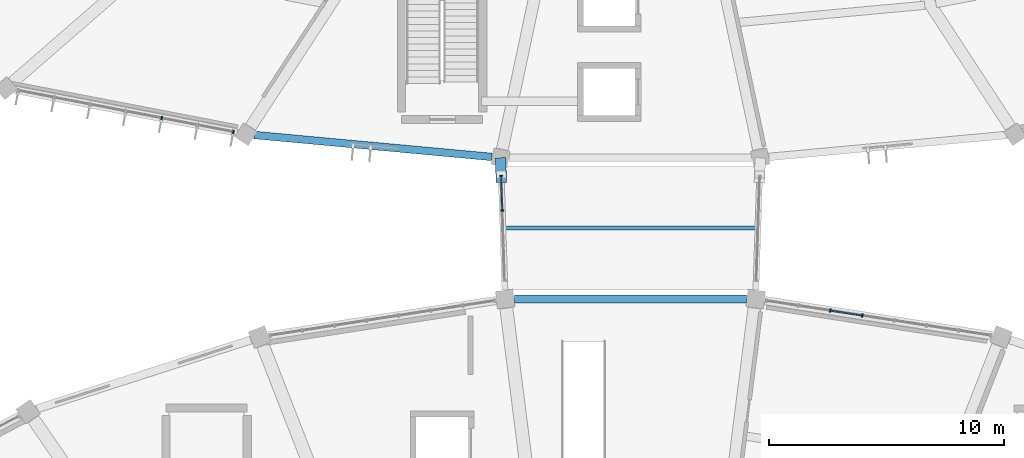
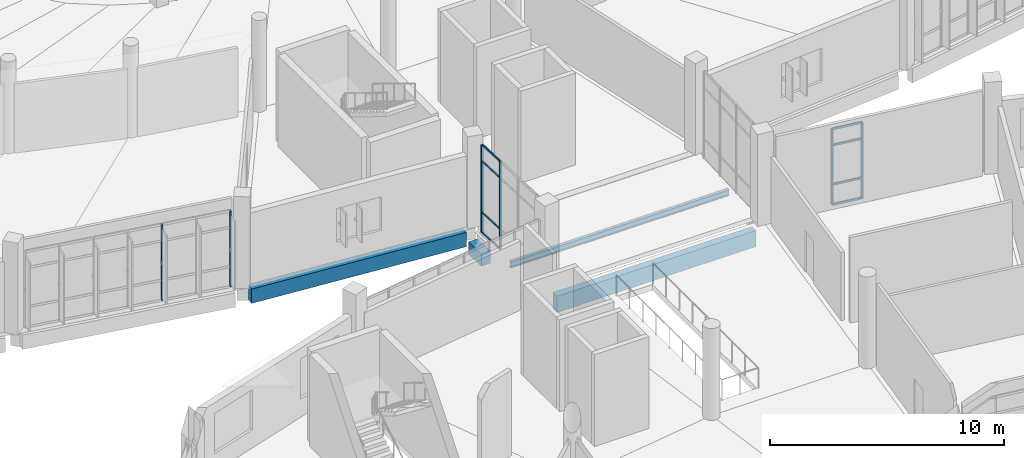
# One storey, part 30 of 179: 14 members, 4 beams, 3 elements without a shape of their own.
"""IFC4 building model written with IfcOpenShell, lengths in metres."""

import ifcopenshell
import ifcopenshell.guid

model = None  # the IFC model being written
_history = None  # IfcOwnerHistory: only IFC2X3 demands one
_inside = {}  # id of a spatial element -> (the spatial element, [elements in it])
_under = {}  # id of a project, library or spatial element -> (it, [spatial elements below it])
_declared = {}  # id of a project -> (the project, [libraries it declares])
_typed = {}  # id of a type object -> (the type object, [elements of that type])
_made_of = {}  # id of a material, layer set ... -> (it, [elements and type objects made of it])


def new_model(schema):
    """Start an empty IFC model of exactly this schema.

    Asked for "IFC4X3", IfcOpenShell would pick the latest addendum, in which some entities
    have other attributes; the version numbers below select the first issue.
    IFC2X3 requires an IfcOwnerHistory on every rooted entity: one is made here for all.
    """
    global model, _history
    if schema == "IFC4X3":
        model = ifcopenshell.file(schema_version=(4, 3, 0, 0))
    else:
        model = ifcopenshell.file(schema=schema)
    _inside.clear()
    _under.clear()
    _declared.clear()
    _typed.clear()
    _made_of.clear()
    _history = None
    if model.schema == "IFC2X3":
        org = make("IfcOrganization", Name="unknown")
        user = make(
            "IfcPersonAndOrganization",
            ThePerson=make("IfcPerson", FamilyName="unknown"),
            TheOrganization=org,
        )
        app = make(
            "IfcApplication",
            ApplicationDeveloper=org,
            Version="unknown",
            ApplicationFullName="unknown",
            ApplicationIdentifier="unknown",
        )
        _history = make(
            "IfcOwnerHistory",
            OwningUser=user,
            OwningApplication=app,
            ChangeAction="ADDED",
            CreationDate=0,
        )
    return model


def make(cls, **values):
    """One entity of the class cls with the attributes given. An attribute that is None is left unset."""
    return model.create_entity(
        cls, **{name: value for name, value in values.items() if value is not None}
    )


def rooted(cls, **values):
    """An entity with a GlobalId (a new one), such as an element, a storey or a relation."""
    return make(cls, GlobalId=ifcopenshell.guid.new(), OwnerHistory=_history, **values)


def si_unit(unit_type, name, prefix=None):
    """IfcSIUnit, for example si_unit("LENGTHUNIT", "METRE", prefix="MILLI")."""
    return make("IfcSIUnit", UnitType=unit_type, Prefix=prefix, Name=name)


def assignment(units):
    """IfcUnitAssignment: the units of a project."""
    return None if units is None else make("IfcUnitAssignment", Units=units)


def point(xyz):
    """IfcCartesianPoint."""
    return None if xyz is None else make("IfcCartesianPoint", Coordinates=xyz)


def direction(xyz):
    """IfcDirection."""
    return None if xyz is None else make("IfcDirection", DirectionRatios=xyz)


def frame(location, z_axis=None, x_axis=None):
    """IfcAxis2Placement3D, a coordinate frame: its origin and axes. An axis left out is left unset."""
    return make(
        "IfcAxis2Placement3D",
        Location=point(location),
        Axis=direction(z_axis),
        RefDirection=direction(x_axis),
    )


def frame_2d(location, x_axis=None):
    """IfcAxis2Placement2D, a coordinate frame in the plane: its origin and x axis."""
    return make(
        "IfcAxis2Placement2D", Location=point(location), RefDirection=direction(x_axis)
    )


def origin():
    """The frame at (0, 0, 0) with its axes left unset."""
    return frame((0.0, 0.0, 0.0))


def origin_2d():
    """The frame at (0, 0) in the plane with its x axis left unset."""
    return frame_2d((0.0, 0.0))


def place(relative_to, where):
    """IfcLocalPlacement: puts the frame where relative to a parent placement (None: the world)."""
    return make(
        "IfcLocalPlacement", PlacementRelTo=relative_to, RelativePlacement=where
    )


def context(
    kind, dimensions, precision=None, world=None, true_north=None, identifier=None
):
    """IfcGeometricRepresentationContext, for example the 3D "Model" context."""
    return make(
        "IfcGeometricRepresentationContext",
        ContextIdentifier=identifier,
        ContextType=kind,
        CoordinateSpaceDimension=dimensions,
        Precision=precision,
        WorldCoordinateSystem=world,
        TrueNorth=true_north,
    )


def subcontext(parent, identifier, kind, view, scale=None):
    """IfcGeometricRepresentationSubContext, for example "Body" below "Model"."""
    return make(
        "IfcGeometricRepresentationSubContext",
        ContextIdentifier=identifier,
        ContextType=kind,
        ParentContext=parent,
        TargetScale=scale,
        TargetView=view,
    )


def project(units=None, contexts=None):
    """IfcProject with its units and contexts."""
    return rooted(
        "IfcProject",
        Name="project",
        RepresentationContexts=contexts,
        UnitsInContext=assignment(units),
    )


def spatial(cls, under=None, at=None, **own):
    """A site, building, storey or space (cls), placed at a placement, below another one or the project."""
    s = rooted(cls, ObjectPlacement=at, **own)
    if under is not None:
        _under.setdefault(under.id(), (under, []))[1].append(s)
    return s


def profile(cls, at=None, kind="AREA", **sizes):
    """A parametric profile (cls). Its sizes go by their IFC names, for example OverallWidth=200.0."""
    return make(cls, ProfileType=kind, Position=at, **sizes)


def rectangle(**sizes):
    """IfcRectangleProfileDef."""
    return profile("IfcRectangleProfileDef", **sizes)


def i_section(**sizes):
    """IfcIShapeProfileDef."""
    return profile("IfcIShapeProfileDef", **sizes)


def extrude(swept, where, along, depth):
    """IfcExtrudedAreaSolid: the profile swept, set in the frame where, extruded along a direction by depth."""
    return make(
        "IfcExtrudedAreaSolid",
        SweptArea=swept,
        Position=where,
        ExtrudedDirection=direction(along),
        Depth=depth,
    )


def shape(context_of_items, identifier, shape_type, items):
    """IfcShapeRepresentation: the items that make up one representation, for example the "Body"."""
    return make(
        "IfcShapeRepresentation",
        ContextOfItems=context_of_items,
        RepresentationIdentifier=identifier,
        RepresentationType=shape_type,
        Items=items,
    )


def material(Name=None, Category=None):
    """IfcMaterial."""
    return make("IfcMaterial", Name=Name, Category=Category)


def layer(
    of_material, thickness, ventilated=None, Name=None, Category=None, Priority=None
):
    """IfcMaterialLayer: one layer of a wall or slab, of a material (None: an air gap)."""
    return make(
        "IfcMaterialLayer",
        Material=of_material,
        LayerThickness=thickness,
        IsVentilated=ventilated,
        Name=Name,
        Category=Category,
        Priority=Priority,
    )


def layer_set(layers, Name=None):
    """IfcMaterialLayerSet."""
    return make("IfcMaterialLayerSet", MaterialLayers=layers, LayerSetName=Name)


def material_profile(
    of_material, cross_section, Name=None, Category=None, Priority=None
):
    """IfcMaterialProfile: a cross section and its material."""
    return make(
        "IfcMaterialProfile",
        Name=Name,
        Material=of_material,
        Profile=cross_section,
        Priority=Priority,
        Category=Category,
    )


def profile_set(profiles, Name=None, composite=None):
    """IfcMaterialProfileSet."""
    return make(
        "IfcMaterialProfileSet",
        Name=Name,
        MaterialProfiles=profiles,
        CompositeProfile=composite,
    )


def made_of(thing, what):
    """Note that an element or type object is made of a material, layer set ...; save() writes the relation."""
    if what is not None:
        _made_of.setdefault(what.id(), (what, []))[1].append(thing)
    return thing


def type_object(cls, material=None, **own):
    """A type object (cls), such as IfcWallType, which elements share."""
    return made_of(rooted(cls, **own), material)


def element(
    cls,
    number,
    at=None,
    inside=None,
    cuts=None,
    type_object=None,
    material=None,
    context=None,
    identifier="Body",
    shape_type=None,
    held_by="IfcProductDefinitionShape",
    body=None,
    shapes=None,
    **own,
):
    """One element of the class cls, such as IfcWall. Its Tag is "e" and its number.

    at: its placement. inside: the storey or other place that contains it. cuts: it is an
    opening in that element (IfcRelVoidsElement). A single representation is given by context,
    identifier, shape_type and body (its items); several are given by shapes. held_by: the class
    of the entity that holds the representations. save() writes the other relations.
    """
    e = rooted(cls, Tag="e%d" % number, ObjectPlacement=at, **own)
    if body is not None:
        shapes = [shape(context, identifier, shape_type, body)]
    if shapes is not None:
        e.Representation = make(held_by, Representations=shapes)
    if inside is not None:
        _inside.setdefault(inside.id(), (inside, []))[1].append(e)
    if cuts is not None:
        rooted(
            "IfcRelVoidsElement", RelatingBuildingElement=cuts, RelatedOpeningElement=e
        )
    if type_object is not None:
        _typed.setdefault(type_object.id(), (type_object, []))[1].append(e)
    return made_of(e, material)


def aggregate(whole, parts):
    """IfcRelAggregates: a whole, such as a stair, and the parts it consists of."""
    return rooted("IfcRelAggregates", RelatingObject=whole, RelatedObjects=parts)


def save(model, path):
    """Write the relations noted so far, then the file.

    IfcRelAggregates (storeys below a building ...), IfcRelContainedInSpatialStructure (elements
    in a storey), IfcRelDefinesByType, IfcRelAssociatesMaterial and IfcRelDeclares: one each for
    every whole, place, type object, material and project.
    """
    for whole, parts in _under.values():
        aggregate(whole, parts)
    for where, things in _inside.values():
        rooted(
            "IfcRelContainedInSpatialStructure",
            RelatedElements=things,
            RelatingStructure=where,
        )
    for kind, things in _typed.values():
        rooted("IfcRelDefinesByType", RelatedObjects=things, RelatingType=kind)
    for what, things in _made_of.values():
        rooted("IfcRelAssociatesMaterial", RelatedObjects=things, RelatingMaterial=what)
    for by, libraries in _declared.values():
        rooted("IfcRelDeclares", RelatingContext=by, RelatedDefinitions=libraries)
    model.write(path)


model = new_model("IFC4")

# Units and contexts
model_context = context("Model", 3, precision=1e-05, world=origin(), true_north=direction((0.0, 1.0)))
body_context = subcontext(model_context, "Body", "Model", "MODEL_VIEW")
ifc_project = project(units=[si_unit("LENGTHUNIT", "METRE"), si_unit("AREAUNIT", "SQUARE_METRE"), si_unit("VOLUMEUNIT", "CUBIC_METRE"), si_unit("PLANEANGLEUNIT", "RADIAN"), si_unit("MASSUNIT", "GRAM", prefix="KILO")], contexts=[model_context])

# Site, building, storey
site_placement = place(None, origin())
site = spatial("IfcSite", under=ifc_project, at=site_placement, CompositionType="ELEMENT")
building_placement = place(site_placement, origin())
building = spatial("IfcBuilding", under=site, at=building_placement, Name="Corvandel Quay Wholesale Market", CompositionType="ELEMENT")
storey_placement = place(building_placement, frame((0.0, 0.0, 6.0)))
storey = spatial("IfcBuildingStorey", under=building, at=storey_placement, Name="L01", CompositionType="ELEMENT", Elevation=6.0)

# Beam
ifc_material_1 = material(Name="Steel A992 Grade 50", Category="steel")
ifc_material_profile_1 = material_profile(ifc_material_1, i_section(OverallWidth=0.1669921875, OverallDepth=0.318115234375, WebThickness=0.007568359375, FlangeThickness=0.01318359375, at=origin_2d()), Name="W12X35")
ifc_profile_set_1 = profile_set([ifc_material_profile_1], Name="Steel A992 Grade 50")
beam_type_1 = type_object("IfcBeamType", Name="Bridge Floor Steel Beam SB02 W12X35", PredefinedType="BEAM", material=ifc_profile_set_1)
beam_1_placement = place(storey_placement, frame((108.592041015625, 87.012451171875, -0.3798828125), z_axis=(1.0, 0.0, 0.0), x_axis=(0.0, 1.0, 0.0)))
element("IfcBeam", 1, at=beam_1_placement, inside=storey, type_object=beam_type_1, Name="Beam BM-1765", PredefinedType="BEAM", context=body_context, shape_type="SweptSolid", body=[
    extrude(i_section(OverallWidth=0.1669921875, OverallDepth=0.318115234375, WebThickness=0.007568359375, FlangeThickness=0.01318359375, at=origin_2d()), origin(), (0.0, 0.0, 1.0), 10.81591796875),
])

# Curtain wall, members
ifc_material_2 = material(Name="Bronze anodised aluminium and low-E insulated glazing", Category="aluminium")
ifc_layer_1 = layer(ifc_material_2, 0.162109375)
ifc_layer_set_1 = layer_set([ifc_layer_1], Name="Bronze anodised aluminium and low-E insulated glazing")
curtain_wall_type_1 = type_object("IfcCurtainWallType", Name="Stick Curtain Wall System CW21 H4890", PredefinedType="NOTDEFINED", material=ifc_layer_set_1)
curtain_wall_1_placement = place(storey_placement, origin())
curtain_wall_1 = element("IfcCurtainWall", 2, at=curtain_wall_1_placement, inside=storey, type_object=curtain_wall_type_1, Name="Curtain Wall CW-0168", PredefinedType="NOTDEFINED")
ifc_material_3 = material(Name="Anodised aluminium 6063-T6", Category="aluminium")
ifc_material_profile_2 = material_profile(ifc_material_3, rectangle(XDim=0.06005859375, YDim=0.1298828125, at=origin_2d()), Name="ALU-MUL-60x130")
ifc_profile_set_2 = profile_set([ifc_material_profile_2], Name="Anodised aluminium 6063-T6")
member_type_1 = type_object("IfcMemberType", Name="Clerestory Mullion ML03 60x130", PredefinedType="MULLION", material=ifc_profile_set_2)
member_1_placement = place(storey_placement, frame((108.557861328125, 87.75341796875, -0.030029296875), z_axis=(0.0, 0.0, 1.0), x_axis=(-0.032806302436, 0.999461728392, 0.0)))
member_1 = element("IfcMember", 3, at=member_1_placement, type_object=member_type_1, Name="Mullion CW-0168-M02", PredefinedType="MULLION", context=body_context, shape_type="SweptSolid", body=[
    extrude(rectangle(XDim=0.06005859375, YDim=0.1298828125, at=origin_2d()), origin(), (0.0, 0.0, 1.0), 4.580078125),
])
member_2_placement = place(storey_placement, frame((108.509033203125, 89.2353515625, -0.030029296875), z_axis=(0.0, 0.0, 1.0), x_axis=(-0.032806302436, 0.999461728392, 0.0)))
member_2 = element("IfcMember", 4, at=member_2_placement, type_object=member_type_1, Name="Mullion CW-0168-M03", PredefinedType="MULLION", context=body_context, shape_type="SweptSolid", body=[
    extrude(rectangle(XDim=0.06005859375, YDim=0.1298828125, at=origin_2d()), origin(), (0.0, 0.0, 1.0), 4.580078125),
])
ifc_material_profile_3 = material_profile(ifc_material_3, rectangle(XDim=0.054931640625, YDim=0.094970703125, at=origin_2d()), Name="ALU-TRN-55x95")
ifc_profile_set_3 = profile_set([ifc_material_profile_3], Name="Anodised aluminium 6063-T6")
member_type_2 = type_object("IfcMemberType", Name="Clerestory Transom TR03 55x95", PredefinedType="USERDEFINED", material=ifc_profile_set_3)
member_3_placement = place(storey_placement, frame((108.556884765625, 87.783447265625, -0.030029296875), z_axis=(-0.032949132854, 0.999457029914, 0.0), x_axis=(-0.999457029914, -0.032949132854, 0.0)))
member_3 = element("IfcMember", 5, at=member_3_placement, type_object=member_type_2, Name="Transom CW-0168-T02-0", ObjectType="TRANSOM", PredefinedType="USERDEFINED", context=body_context, shape_type="SweptSolid", body=[
    extrude(rectangle(XDim=0.054931640625, YDim=0.094970703125, at=origin_2d()), origin(), (0.0, 0.0, 1.0), 1.422607421875),
])
member_4_placement = place(storey_placement, frame((108.556884765625, 87.783447265625, 1.02001953125), z_axis=(-0.032949132854, 0.999457029914, 0.0), x_axis=(-0.999457029914, -0.032949132854, 0.0)))
member_4 = element("IfcMember", 6, at=member_4_placement, type_object=member_type_2, Name="Transom CW-0168-T02-1", ObjectType="TRANSOM", PredefinedType="USERDEFINED", context=body_context, shape_type="SweptSolid", body=[
    extrude(rectangle(XDim=0.054931640625, YDim=0.094970703125, at=origin_2d()), origin(), (0.0, 0.0, 1.0), 1.422607421875),
])
member_5_placement = place(storey_placement, frame((108.556884765625, 87.783447265625, 3.699951171875), z_axis=(-0.032949132854, 0.999457029914, 0.0), x_axis=(-0.999457029914, -0.032949132854, 0.0)))
member_5 = element("IfcMember", 7, at=member_5_placement, type_object=member_type_2, Name="Transom CW-0168-T02-2", ObjectType="TRANSOM", PredefinedType="USERDEFINED", context=body_context, shape_type="SweptSolid", body=[
    extrude(rectangle(XDim=0.054931640625, YDim=0.094970703125, at=origin_2d()), origin(), (0.0, 0.0, 1.0), 1.422607421875),
])
member_6_placement = place(storey_placement, frame((108.556884765625, 87.783447265625, 4.550048828125), z_axis=(-0.032949132854, 0.999457029914, 0.0), x_axis=(-0.999457029914, -0.032949132854, 0.0)))
member_6 = element("IfcMember", 8, at=member_6_placement, type_object=member_type_2, Name="Transom CW-0168-T02-3", ObjectType="TRANSOM", PredefinedType="USERDEFINED", context=body_context, shape_type="SweptSolid", body=[
    extrude(rectangle(XDim=0.054931640625, YDim=0.094970703125, at=origin_2d()), origin(), (0.0, 0.0, 1.0), 1.422607421875),
])
aggregate(curtain_wall_1, [member_1, member_2, member_3, member_4, member_5, member_6])

ifc_layer_2 = layer(ifc_material_2, 0.162109375)
ifc_layer_set_2 = layer_set([ifc_layer_2], Name="Bronze anodised aluminium and low-E insulated glazing")
curtain_wall_type_2 = type_object("IfcCurtainWallType", Name="Stick Curtain Wall System CW11 H3990", PredefinedType="NOTDEFINED", material=ifc_layer_set_2)
curtain_wall_2_placement = place(storey_placement, origin())
curtain_wall_2 = element("IfcCurtainWall", 9, at=curtain_wall_2_placement, inside=storey, type_object=curtain_wall_type_2, Name="Curtain Wall CW-0018", PredefinedType="NOTDEFINED")
ifc_material_profile_4 = material_profile(ifc_material_3, rectangle(XDim=0.06494140625, YDim=0.14990234375, at=origin_2d()), Name="ALU-MUL-65x150")
ifc_profile_set_4 = profile_set([ifc_material_profile_4], Name="Anodised aluminium 6063-T6")
member_type_3 = type_object("IfcMemberType", Name="Curtain Wall Mullion ML02 65x150", PredefinedType="MULLION", material=ifc_profile_set_4)
member_7_placement = place(storey_placement, frame((123.853515625, 83.298583984375, 0.0), z_axis=(0.0, 0.0, 1.0), x_axis=(-0.98825506746, 0.152813355565, 0.0)))
member_7 = element("IfcMember", 10, at=member_7_placement, type_object=member_type_3, Name="Mullion CW-0018-M04", PredefinedType="MULLION", context=body_context, shape_type="SweptSolid", body=[
    extrude(rectangle(XDim=0.06494140625, YDim=0.14990234375, at=origin_2d()), origin(), (0.0, 0.0, 1.0), 3.949951171875),
])
member_8_placement = place(storey_placement, frame((122.490234375, 83.509521484375, 0.0), z_axis=(0.0, 0.0, 1.0), x_axis=(-0.98825506746, 0.152813355565, 0.0)))
member_8 = element("IfcMember", 11, at=member_8_placement, type_object=member_type_3, Name="Mullion CW-0018-M05", PredefinedType="MULLION", context=body_context, shape_type="SweptSolid", body=[
    extrude(rectangle(XDim=0.06494140625, YDim=0.14990234375, at=origin_2d()), origin(), (0.0, 0.0, 1.0), 3.949951171875),
])

ifc_layer_3 = layer(ifc_material_2, 0.18603515625)
ifc_layer_set_3 = layer_set([ifc_layer_3], Name="Bronze anodised aluminium and low-E insulated glazing")
curtain_wall_type_3 = type_object("IfcCurtainWallType", Name="Stick Curtain Wall System CW28 H5520", PredefinedType="NOTDEFINED", material=ifc_layer_set_3)
curtain_wall_3_placement = place(storey_placement, origin())
curtain_wall_3 = element("IfcCurtainWall", 12, at=curtain_wall_3_placement, inside=storey, type_object=curtain_wall_type_3, Name="Curtain Wall CW-0109", PredefinedType="NOTDEFINED")
member_9_placement = place(storey_placement, frame((94.09130859375, 91.686279296875, 0.0), z_axis=(0.0, 0.0, 1.0), x_axis=(-0.981991701121, 0.188924055984, 0.0)))
member_9 = element("IfcMember", 13, at=member_9_placement, type_object=member_type_3, Name="Mullion CW-0109-M04", PredefinedType="MULLION", context=body_context, shape_type="SweptSolid", body=[
    extrude(rectangle(XDim=0.06494140625, YDim=0.14990234375, at=origin_2d()), origin(), (0.0, 0.0, 1.0), 3.949951171875),
])
member_10_placement = place(storey_placement, frame((97.134765625, 91.10107421875, 0.0), z_axis=(0.0, 0.0, 1.0), x_axis=(-0.981991701121, 0.188924055984, 0.0)))
member_10 = element("IfcMember", 14, at=member_10_placement, type_object=member_type_3, Name="Mullion CW-0109-M06", PredefinedType="MULLION", context=body_context, shape_type="SweptSolid", body=[
    extrude(rectangle(XDim=0.06494140625, YDim=0.14990234375, at=origin_2d()), origin(), (0.0, 0.0, 1.0), 3.949951171875),
])
aggregate(curtain_wall_3, [member_9, member_10])

# Member
ifc_material_profile_5 = material_profile(ifc_material_3, rectangle(XDim=0.06005859375, YDim=0.110107421875, at=origin_2d()), Name="ALU-TRN-60x110")
ifc_profile_set_5 = profile_set([ifc_material_profile_5], Name="Anodised aluminium 6063-T6")
member_type_4 = type_object("IfcMemberType", Name="Curtain Wall Transom TR02 60x110", PredefinedType="USERDEFINED", material=ifc_profile_set_5)
member_11_placement = place(storey_placement, frame((123.8212890625, 83.303466796875, 0.0), z_axis=(-0.988248991474, 0.152852644237, 0.0), x_axis=(-0.152852644237, -0.988248991474, 0.0)))
member_11 = element("IfcMember", 15, at=member_11_placement, type_object=member_type_4, Name="Transom CW-0018-T04-0", ObjectType="TRANSOM", PredefinedType="USERDEFINED", context=body_context, shape_type="SweptSolid", body=[
    extrude(rectangle(XDim=0.06005859375, YDim=0.110107421875, at=origin_2d()), origin(), (0.0, 0.0, 1.0), 1.314453125),
])

member_12_placement = place(storey_placement, frame((123.8212890625, 83.303466796875, 1.050048828125), z_axis=(-0.988248991474, 0.152852644237, 0.0), x_axis=(-0.152852644237, -0.988248991474, 0.0)))
member_12 = element("IfcMember", 16, at=member_12_placement, type_object=member_type_4, Name="Transom CW-0018-T04-1", ObjectType="TRANSOM", PredefinedType="USERDEFINED", context=body_context, shape_type="SweptSolid", body=[
    extrude(rectangle(XDim=0.06005859375, YDim=0.110107421875, at=origin_2d()), origin(), (0.0, 0.0, 1.0), 1.314453125),
])

member_13_placement = place(storey_placement, frame((123.8212890625, 83.303466796875, 3.10009765625), z_axis=(-0.988248991474, 0.152852644237, 0.0), x_axis=(-0.152852644237, -0.988248991474, 0.0)))
member_13 = element("IfcMember", 17, at=member_13_placement, type_object=member_type_4, Name="Transom CW-0018-T04-2", ObjectType="TRANSOM", PredefinedType="USERDEFINED", context=body_context, shape_type="SweptSolid", body=[
    extrude(rectangle(XDim=0.06005859375, YDim=0.110107421875, at=origin_2d()), origin(), (0.0, 0.0, 1.0), 1.314453125),
])

member_14_placement = place(storey_placement, frame((123.8212890625, 83.303466796875, 3.949951171875), z_axis=(-0.988248991474, 0.152852644237, 0.0), x_axis=(-0.152852644237, -0.988248991474, 0.0)))
member_14 = element("IfcMember", 18, at=member_14_placement, type_object=member_type_4, Name="Transom CW-0018-T04-3", ObjectType="TRANSOM", PredefinedType="USERDEFINED", context=body_context, shape_type="SweptSolid", body=[
    extrude(rectangle(XDim=0.06005859375, YDim=0.110107421875, at=origin_2d()), origin(), (0.0, 0.0, 1.0), 1.314453125),
])

aggregate(curtain_wall_2, [member_7, member_8, member_11, member_12, member_13, member_14])

# Beams
ifc_material_4 = material(Name="Precast concrete C45/55", Category="concrete")
ifc_material_profile_6 = material_profile(ifc_material_4, rectangle(XDim=0.320068359375, YDim=0.75, at=origin_2d()), Name="PC-SPN-320x750")
ifc_profile_set_6 = profile_set([ifc_material_profile_6], Name="Precast concrete C45/55")
beam_type_2 = type_object("IfcBeamType", Name="Pavilion Precast Spandrel SP02 320x750", PredefinedType="SPANDREL", material=ifc_profile_set_6)
beam_2_placement = place(storey_placement, frame((98.033447265625, 90.965087890625, -0.655029296875), z_axis=(0.995762128, -0.091966213585, 0.0), x_axis=(0.091966213585, 0.995762128, 0.0)))
element("IfcBeam", 19, at=beam_2_placement, inside=storey, type_object=beam_type_2, Name="Beam BM-0677", PredefinedType="SPANDREL", context=body_context, shape_type="SweptSolid", body=[
    extrude(rectangle(XDim=0.320068359375, YDim=0.75, at=origin_2d()), origin(), (0.0, 0.0, 1.0), 10.125),
])
ifc_material_profile_7 = material_profile(ifc_material_4, rectangle(XDim=0.35009765625, YDim=0.85009765625, at=origin_2d()), Name="PC-SPN-350x850")
ifc_profile_set_7 = profile_set([ifc_material_profile_7], Name="Precast concrete C45/55")
beam_type_3 = type_object("IfcBeamType", Name="Perimeter Precast Spandrel SP01 350x850", PredefinedType="SPANDREL", material=ifc_profile_set_7)
beam_3_placement = place(storey_placement, frame((118.924072265625, 84.0, -0.72509765625), z_axis=(-1.0, 0.0, 0.0), x_axis=(0.0, -1.0, 0.0)))
element("IfcBeam", 20, at=beam_3_placement, inside=storey, type_object=beam_type_3, Name="Beam BM-0091", PredefinedType="SPANDREL", context=body_context, shape_type="SweptSolid", body=[
    extrude(rectangle(XDim=0.35009765625, YDim=0.85009765625, at=origin_2d()), origin(), (0.0, 0.0, 1.0), 9.84814453125),
])
ifc_material_profile_8 = material_profile(ifc_material_4, rectangle(XDim=0.449951171875, YDim=0.64990234375, at=origin_2d()), Name="PC-COR-680x650")
ifc_profile_set_8 = profile_set([ifc_material_profile_8], Name="Precast concrete C45/55")
beam_type_4 = type_object("IfcBeamType", Name="Seismic Joint Precast Corbel CB01 680x650", PredefinedType="BEAM", material=ifc_profile_set_8)
beam_4_placement = place(storey_placement, frame((108.48388671875, 90.0, -1.22802734375), z_axis=(0.03286022549, -0.999459956967, 0.0), x_axis=(0.999459956967, 0.03286022549, 0.0)))
element("IfcBeam", 21, at=beam_4_placement, inside=storey, type_object=beam_type_4, Name="Beam BM-1761", PredefinedType="BEAM", context=body_context, shape_type="SweptSolid", body=[
    extrude(rectangle(XDim=0.449951171875, YDim=0.64990234375, at=origin_2d()), origin(), (0.0, 0.0, 1.0), 1.054931640625),
])

save(model, "model.ifc")
